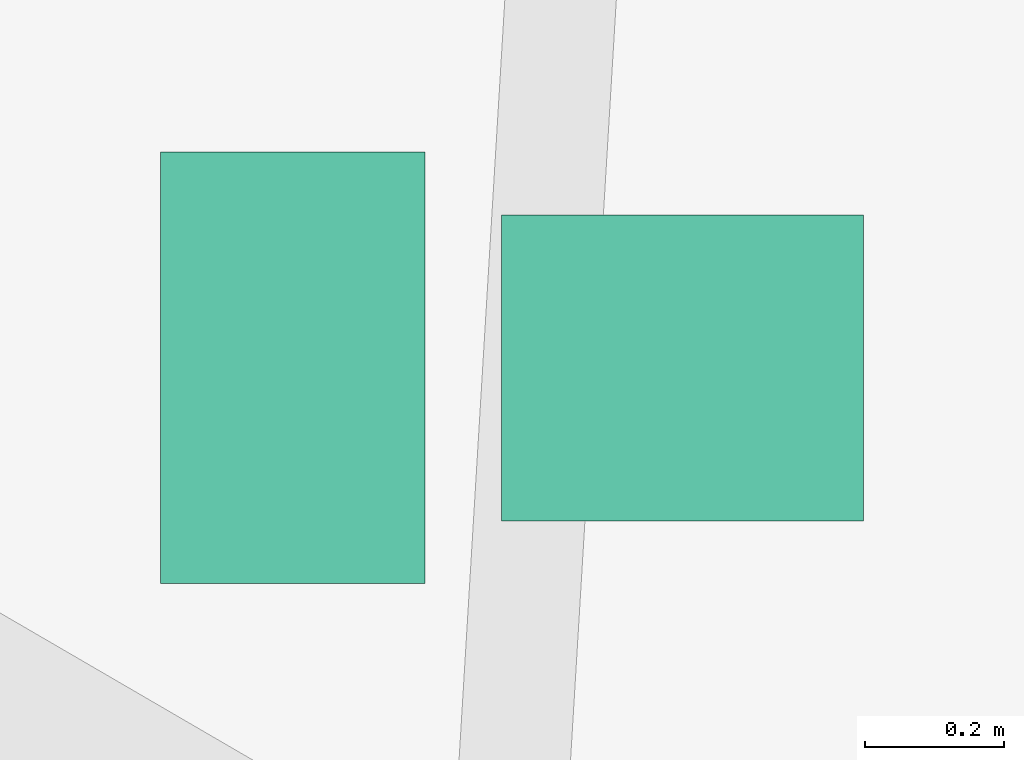
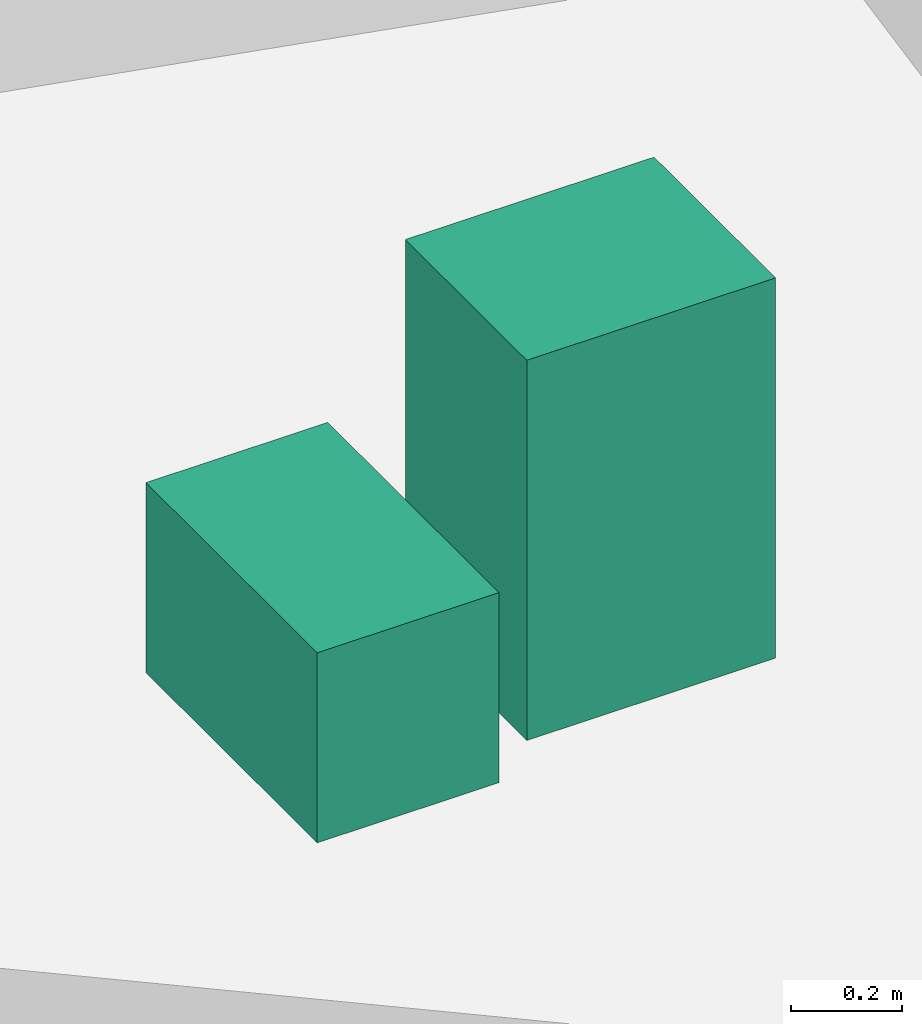
# One storey, part 11 of 11: 2 sanitary terminals.
"""IFC4 building model written with IfcOpenShell, lengths in metres."""

from ifc_helpers import new_model, si_unit, direction, frame, origin, origin_2d, place, context, subcontext, project, spatial, rectangle, extrude, source, transform, mapped, material, type_object, element, save


model = new_model("IFC4")

# Units and contexts
model_context = context("Model", 3, precision=1e-05, world=origin(), true_north=direction((0.0, 1.0)))
body_context = subcontext(model_context, "Body", "Model", "MODEL_VIEW")
ifc_project = project(units=[si_unit("LENGTHUNIT", "METRE"), si_unit("AREAUNIT", "SQUARE_METRE"), si_unit("VOLUMEUNIT", "CUBIC_METRE"), si_unit("PLANEANGLEUNIT", "RADIAN"), si_unit("MASSUNIT", "GRAM", prefix="KILO")], contexts=[model_context])

# Site, building, storey
site_placement = place(None, origin())
site = spatial("IfcSite", under=ifc_project, at=site_placement, CompositionType="ELEMENT")
building_placement = place(site_placement, origin())
building = spatial("IfcBuilding", under=site, at=building_placement, Name="Qafzar Sky-Pleat Residences", CompositionType="ELEMENT")
storey_placement = place(building_placement, frame((0.0, 0.0, 234.0)))
storey = spatial("IfcBuildingStorey", under=building, at=storey_placement, Name="L70", CompositionType="ELEMENT", Elevation=234.0)

# Sanitary terminals
ifc_material = material(Name="Vitreous china sanitaryware")
sanitary_terminal_type_1 = type_object("IfcSanitaryTerminalType", Name="SAN-WC-PAN", PredefinedType="TOILETPAN", material=ifc_material)
shared_shape_1 = source(origin(), body_context, "Body", "SweptSolid", [
    extrude(rectangle(XDim=0.3798828125, YDim=0.6201171875, at=origin_2d()), origin(), (0.0, 0.0, 1.0), 0.419921875),
])
sanitary_terminal_1_placement = place(storey_placement, frame((39.267822265625, 21.529541015625, 0.0), z_axis=(0.0, 0.0, 1.0), x_axis=(1.0, 0.0, 0.0)))
element("IfcSanitaryTerminal", 1, at=sanitary_terminal_1_placement, inside=storey, type_object=sanitary_terminal_type_1, Name="L70 Accessible Shared Washroom WC Pan", PredefinedType="TOILETPAN", context=body_context, shape_type="MappedRepresentation", body=[
    mapped(shared_shape_1, transform((0.0, 0.0, 0.0), x_axis=(1.0, 0.0, 0.0), y_axis=(0.0, 1.0, 0.0), z_axis=(0.0, 0.0, 1.0), scale=1.0)),
])
sanitary_terminal_type_2 = type_object("IfcSanitaryTerminalType", Name="SAN-BASIN", PredefinedType="WASHHANDBASIN", material=ifc_material)
shared_shape_2 = source(origin(), body_context, "Body", "SweptSolid", [
    extrude(rectangle(XDim=0.52001953125, YDim=0.43994140625, at=origin_2d()), origin(), (0.0, 0.0, 1.0), 0.840087890625),
])
sanitary_terminal_2_placement = place(storey_placement, frame((39.827880859375, 21.529541015625, 0.0), z_axis=(0.0, 0.0, 1.0), x_axis=(1.0, 0.0, 0.0)))
element("IfcSanitaryTerminal", 2, at=sanitary_terminal_2_placement, inside=storey, type_object=sanitary_terminal_type_2, Name="L70 Accessible Shared Washroom Pedestal Washbasin", PredefinedType="WASHHANDBASIN", context=body_context, shape_type="MappedRepresentation", body=[
    mapped(shared_shape_2, transform((0.0, 0.0, 0.0), x_axis=(1.0, 0.0, 0.0), y_axis=(0.0, 1.0, 0.0), z_axis=(0.0, 0.0, 1.0), scale=1.0)),
])

save(model, "model.ifc")
